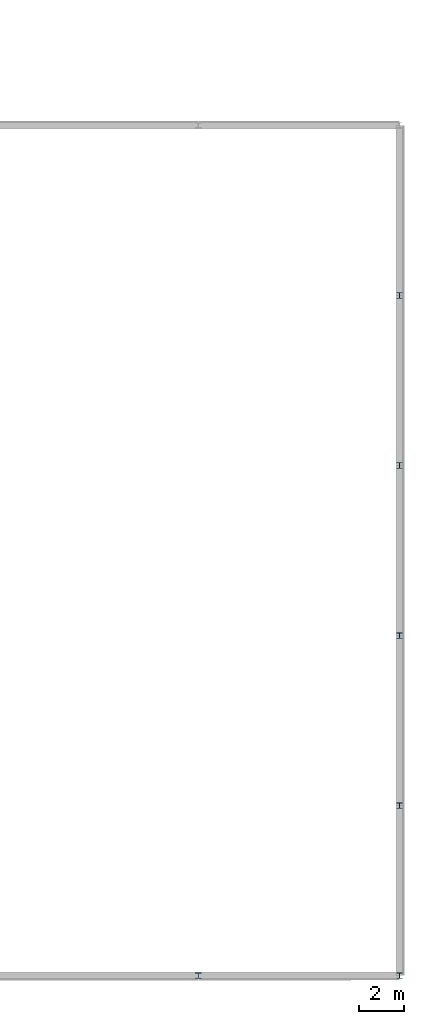
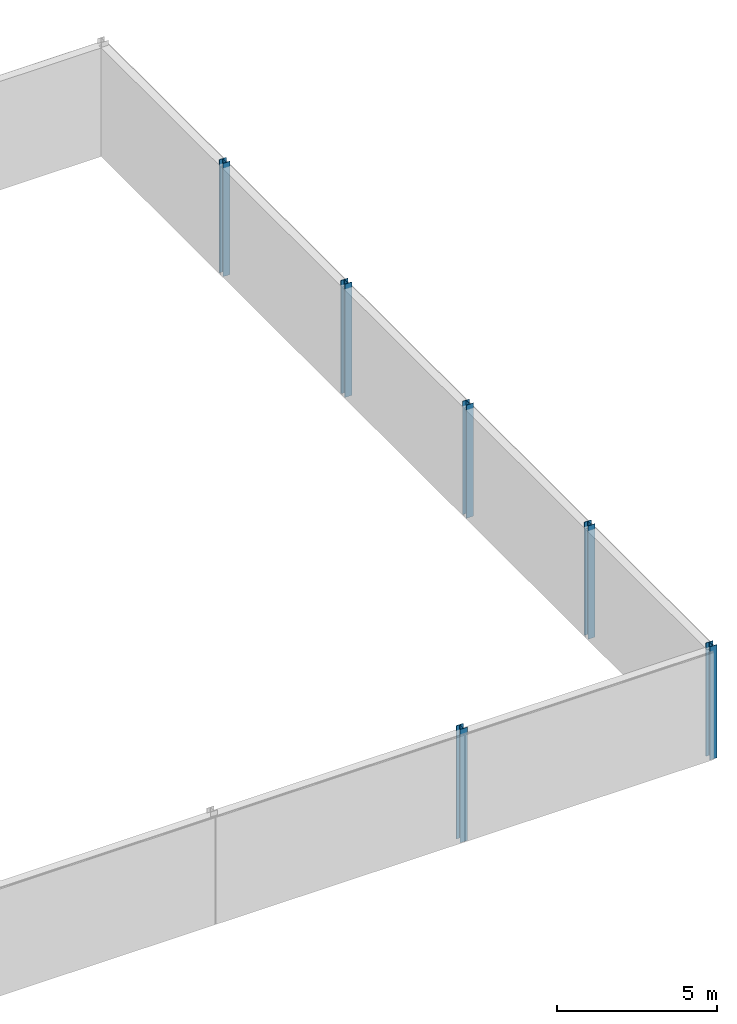
# One storey, part 20 of 166: 6 columns.
"""IFC4 building model written with IfcOpenShell, lengths in metres."""

from ifc_helpers import new_model, si_unit, direction, frame, origin, origin_2d, place, context, subcontext, project, spatial, i_section, extrude, material, material_profile, profile_set, type_object, element, save


model = new_model("IFC4")

# Units and contexts
model_context = context("Model", 3, precision=1e-05, world=origin(), true_north=direction((0.0, 1.0)))
body_context = subcontext(model_context, "Body", "Model", "MODEL_VIEW")
ifc_project = project(units=[si_unit("LENGTHUNIT", "METRE"), si_unit("AREAUNIT", "SQUARE_METRE"), si_unit("VOLUMEUNIT", "CUBIC_METRE"), si_unit("PLANEANGLEUNIT", "RADIAN"), si_unit("MASSUNIT", "GRAM", prefix="KILO")], contexts=[model_context])

# Site, building, storey
site_placement = place(None, origin())
site = spatial("IfcSite", under=ifc_project, at=site_placement, CompositionType="ELEMENT")
building_placement = place(site_placement, origin())
building = spatial("IfcBuilding", under=site, at=building_placement, Name="Caisbarro Railhouse Central Library", CompositionType="ELEMENT")
storey_placement = place(building_placement, frame((0.0, 0.0, 9.360107421875)))
storey = spatial("IfcBuildingStorey", under=building, at=storey_placement, Name="L02", CompositionType="ELEMENT", Elevation=9.360107421875)

# Columns
ifc_material = material(Name="Steel ASTM A572 Grade 50", Category="steel")
ifc_material_profile = material_profile(ifc_material, i_section(OverallWidth=0.25390625, OverallDepth=0.2529296875, WebThickness=0.008544921875, FlangeThickness=0.01416015625, FilletRadius=0.011962890625, at=origin_2d()), Name="W250X73.0")
ifc_profile_set = profile_set([ifc_material_profile], Name="Steel ASTM A572 Grade 50")
column_type = type_object("IfcColumnType", Name="COL-C08", PredefinedType="COLUMN", material=ifc_profile_set)
for number, where, z_axis, x_axis, name in (
    (1, (171.0, 0.0, 0.0), (0.0, 0.0, 1.0), (1.0, 0.0, 0.0), "C08 column L02 (171.0,0.0)"),
    (2, (180.0, 0.0, 0.0), (0.0, 0.0, 1.0), (1.0, 0.0, 0.0), "C08 column L02 (180.0,0.0)"),
    (3, (180.0, 7.60009765625, 0.0), (0.0, 0.0, 1.0), (1.0, 0.0, 0.0), "C08 column L02 (180.0,7.6)"),
    (4, (180.0, 15.199951171875, 0.0), (0.0, 0.0, 1.0), (1.0, 0.0, 0.0), "C08 column L02 (180.0,15.2)"),
    (5, (180.0, 22.800048828125, 0.0), (0.0, 0.0, 1.0), (1.0, 0.0, 0.0), "C08 column L02 (180.0,22.8)"),
    (6, (180.0, 30.39990234375, 0.0), (0.0, 0.0, 1.0), (1.0, 0.0, 0.0), "C08 column L02 (180.0,30.4)"),
):
    element("IfcColumn", number, at=place(storey_placement, frame(where, z_axis=z_axis, x_axis=x_axis)), inside=storey, type_object=column_type, Name=name, PredefinedType="COLUMN", context=body_context, shape_type="SweptSolid", body=[
        extrude(i_section(OverallWidth=0.25390625, OverallDepth=0.2529296875, WebThickness=0.008544921875, FlangeThickness=0.01416015625, FilletRadius=0.011962890625, at=origin_2d()), origin(), (0.0, 0.0, 1.0), 4.31982421875),
    ])

save(model, "model.ifc")
